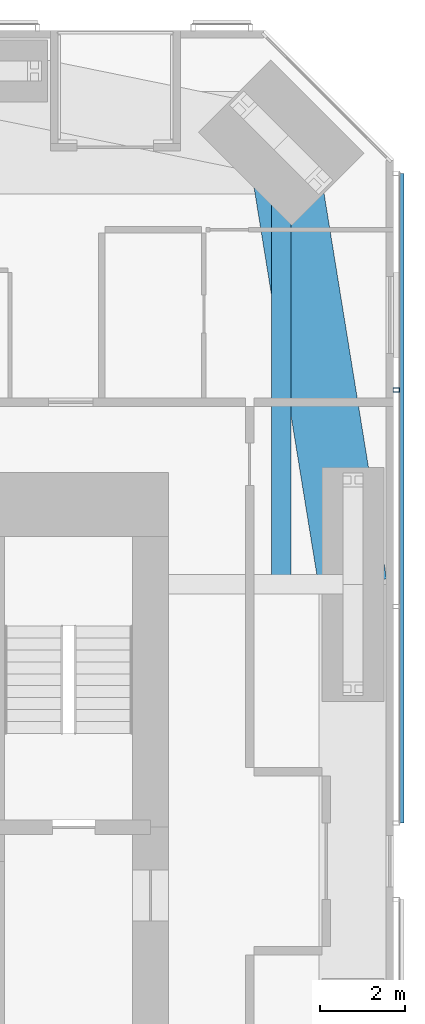
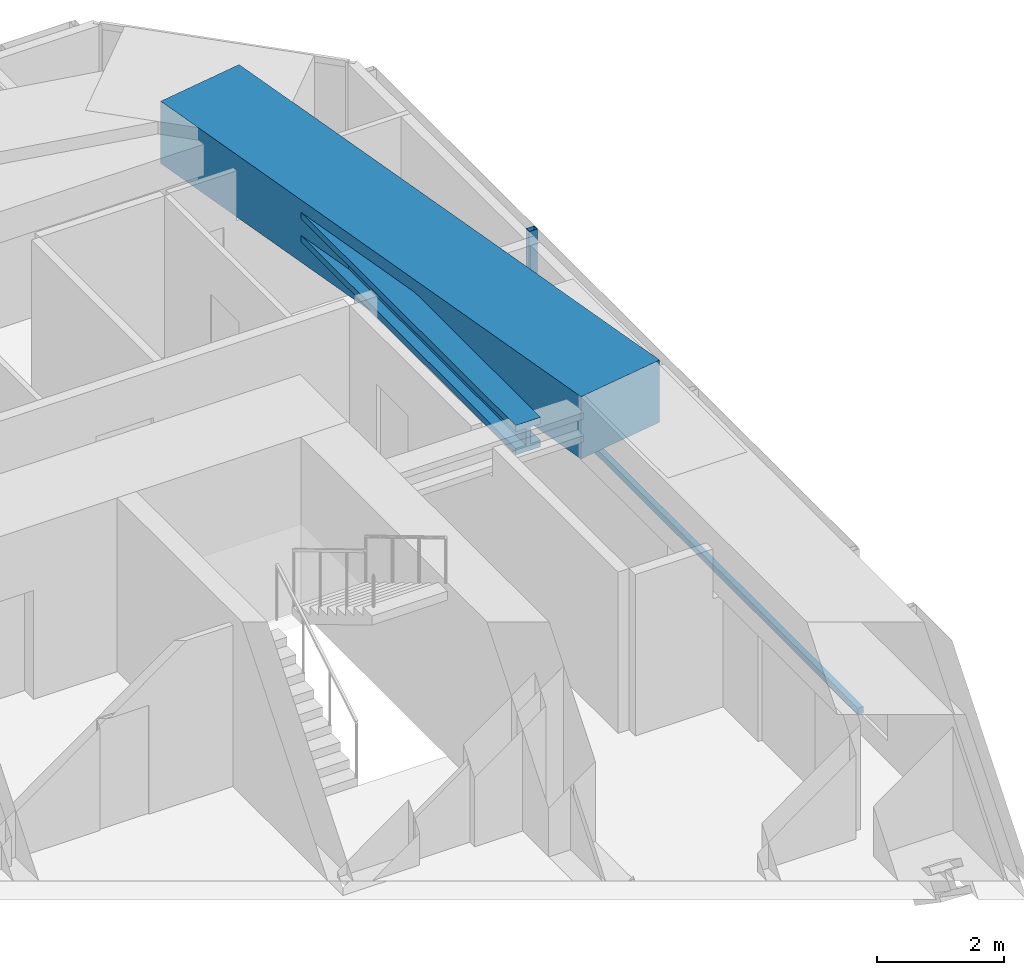
# One storey, part 11 of 25: 2 beams, 2 members, 1 element without a shape of its own.
"""IFC4 building model written with IfcOpenShell, lengths in metres."""

import ifcopenshell
import ifcopenshell.guid

model = None  # the IFC model being written
_history = None  # IfcOwnerHistory: only IFC2X3 demands one
_inside = {}  # id of a spatial element -> (the spatial element, [elements in it])
_under = {}  # id of a project, library or spatial element -> (it, [spatial elements below it])
_declared = {}  # id of a project -> (the project, [libraries it declares])
_typed = {}  # id of a type object -> (the type object, [elements of that type])
_made_of = {}  # id of a material, layer set ... -> (it, [elements and type objects made of it])


def new_model(schema):
    """Start an empty IFC model of exactly this schema.

    Asked for "IFC4X3", IfcOpenShell would pick the latest addendum, in which some entities
    have other attributes; the version numbers below select the first issue.
    IFC2X3 requires an IfcOwnerHistory on every rooted entity: one is made here for all.
    """
    global model, _history
    if schema == "IFC4X3":
        model = ifcopenshell.file(schema_version=(4, 3, 0, 0))
    else:
        model = ifcopenshell.file(schema=schema)
    _inside.clear()
    _under.clear()
    _declared.clear()
    _typed.clear()
    _made_of.clear()
    _history = None
    if model.schema == "IFC2X3":
        org = make("IfcOrganization", Name="unknown")
        user = make(
            "IfcPersonAndOrganization",
            ThePerson=make("IfcPerson", FamilyName="unknown"),
            TheOrganization=org,
        )
        app = make(
            "IfcApplication",
            ApplicationDeveloper=org,
            Version="unknown",
            ApplicationFullName="unknown",
            ApplicationIdentifier="unknown",
        )
        _history = make(
            "IfcOwnerHistory",
            OwningUser=user,
            OwningApplication=app,
            ChangeAction="ADDED",
            CreationDate=0,
        )
    return model


def make(cls, **values):
    """One entity of the class cls with the attributes given. An attribute that is None is left unset."""
    return model.create_entity(
        cls, **{name: value for name, value in values.items() if value is not None}
    )


def rooted(cls, **values):
    """An entity with a GlobalId (a new one), such as an element, a storey or a relation."""
    return make(cls, GlobalId=ifcopenshell.guid.new(), OwnerHistory=_history, **values)


def si_unit(unit_type, name, prefix=None):
    """IfcSIUnit, for example si_unit("LENGTHUNIT", "METRE", prefix="MILLI")."""
    return make("IfcSIUnit", UnitType=unit_type, Prefix=prefix, Name=name)


def assignment(units):
    """IfcUnitAssignment: the units of a project."""
    return None if units is None else make("IfcUnitAssignment", Units=units)


def point(xyz):
    """IfcCartesianPoint."""
    return None if xyz is None else make("IfcCartesianPoint", Coordinates=xyz)


def direction(xyz):
    """IfcDirection."""
    return None if xyz is None else make("IfcDirection", DirectionRatios=xyz)


def frame(location, z_axis=None, x_axis=None):
    """IfcAxis2Placement3D, a coordinate frame: its origin and axes. An axis left out is left unset."""
    return make(
        "IfcAxis2Placement3D",
        Location=point(location),
        Axis=direction(z_axis),
        RefDirection=direction(x_axis),
    )


def frame_2d(location, x_axis=None):
    """IfcAxis2Placement2D, a coordinate frame in the plane: its origin and x axis."""
    return make(
        "IfcAxis2Placement2D", Location=point(location), RefDirection=direction(x_axis)
    )


def origin():
    """The frame at (0, 0, 0) with its axes left unset."""
    return frame((0.0, 0.0, 0.0))


def origin_2d():
    """The frame at (0, 0) in the plane with its x axis left unset."""
    return frame_2d((0.0, 0.0))


def place(relative_to, where):
    """IfcLocalPlacement: puts the frame where relative to a parent placement (None: the world)."""
    return make(
        "IfcLocalPlacement", PlacementRelTo=relative_to, RelativePlacement=where
    )


def context(
    kind, dimensions, precision=None, world=None, true_north=None, identifier=None
):
    """IfcGeometricRepresentationContext, for example the 3D "Model" context."""
    return make(
        "IfcGeometricRepresentationContext",
        ContextIdentifier=identifier,
        ContextType=kind,
        CoordinateSpaceDimension=dimensions,
        Precision=precision,
        WorldCoordinateSystem=world,
        TrueNorth=true_north,
    )


def subcontext(parent, identifier, kind, view, scale=None):
    """IfcGeometricRepresentationSubContext, for example "Body" below "Model"."""
    return make(
        "IfcGeometricRepresentationSubContext",
        ContextIdentifier=identifier,
        ContextType=kind,
        ParentContext=parent,
        TargetScale=scale,
        TargetView=view,
    )


def project(units=None, contexts=None):
    """IfcProject with its units and contexts."""
    return rooted(
        "IfcProject",
        Name="project",
        RepresentationContexts=contexts,
        UnitsInContext=assignment(units),
    )


def spatial(cls, under=None, at=None, **own):
    """A site, building, storey or space (cls), placed at a placement, below another one or the project."""
    s = rooted(cls, ObjectPlacement=at, **own)
    if under is not None:
        _under.setdefault(under.id(), (under, []))[1].append(s)
    return s


def profile(cls, at=None, kind="AREA", **sizes):
    """A parametric profile (cls). Its sizes go by their IFC names, for example OverallWidth=200.0."""
    return make(cls, ProfileType=kind, Position=at, **sizes)


def rectangle(**sizes):
    """IfcRectangleProfileDef."""
    return profile("IfcRectangleProfileDef", **sizes)


def hollow_rectangle(**sizes):
    """IfcRectangleHollowProfileDef."""
    return profile("IfcRectangleHollowProfileDef", **sizes)


def i_section(**sizes):
    """IfcIShapeProfileDef."""
    return profile("IfcIShapeProfileDef", **sizes)


def extrude(swept, where, along, depth):
    """IfcExtrudedAreaSolid: the profile swept, set in the frame where, extruded along a direction by depth."""
    return make(
        "IfcExtrudedAreaSolid",
        SweptArea=swept,
        Position=where,
        ExtrudedDirection=direction(along),
        Depth=depth,
    )


def shape(context_of_items, identifier, shape_type, items):
    """IfcShapeRepresentation: the items that make up one representation, for example the "Body"."""
    return make(
        "IfcShapeRepresentation",
        ContextOfItems=context_of_items,
        RepresentationIdentifier=identifier,
        RepresentationType=shape_type,
        Items=items,
    )


def material(Name=None, Category=None):
    """IfcMaterial."""
    return make("IfcMaterial", Name=Name, Category=Category)


def material_profile(
    of_material, cross_section, Name=None, Category=None, Priority=None
):
    """IfcMaterialProfile: a cross section and its material."""
    return make(
        "IfcMaterialProfile",
        Name=Name,
        Material=of_material,
        Profile=cross_section,
        Priority=Priority,
        Category=Category,
    )


def profile_set(profiles, Name=None, composite=None):
    """IfcMaterialProfileSet."""
    return make(
        "IfcMaterialProfileSet",
        Name=Name,
        MaterialProfiles=profiles,
        CompositeProfile=composite,
    )


def made_of(thing, what):
    """Note that an element or type object is made of a material, layer set ...; save() writes the relation."""
    if what is not None:
        _made_of.setdefault(what.id(), (what, []))[1].append(thing)
    return thing


def type_object(cls, material=None, **own):
    """A type object (cls), such as IfcWallType, which elements share."""
    return made_of(rooted(cls, **own), material)


def element(
    cls,
    number,
    at=None,
    inside=None,
    cuts=None,
    type_object=None,
    material=None,
    context=None,
    identifier="Body",
    shape_type=None,
    held_by="IfcProductDefinitionShape",
    body=None,
    shapes=None,
    **own,
):
    """One element of the class cls, such as IfcWall. Its Tag is "e" and its number.

    at: its placement. inside: the storey or other place that contains it. cuts: it is an
    opening in that element (IfcRelVoidsElement). A single representation is given by context,
    identifier, shape_type and body (its items); several are given by shapes. held_by: the class
    of the entity that holds the representations. save() writes the other relations.
    """
    e = rooted(cls, Tag="e%d" % number, ObjectPlacement=at, **own)
    if body is not None:
        shapes = [shape(context, identifier, shape_type, body)]
    if shapes is not None:
        e.Representation = make(held_by, Representations=shapes)
    if inside is not None:
        _inside.setdefault(inside.id(), (inside, []))[1].append(e)
    if cuts is not None:
        rooted(
            "IfcRelVoidsElement", RelatingBuildingElement=cuts, RelatedOpeningElement=e
        )
    if type_object is not None:
        _typed.setdefault(type_object.id(), (type_object, []))[1].append(e)
    return made_of(e, material)


def aggregate(whole, parts):
    """IfcRelAggregates: a whole, such as a stair, and the parts it consists of."""
    return rooted("IfcRelAggregates", RelatingObject=whole, RelatedObjects=parts)


def save(model, path):
    """Write the relations noted so far, then the file.

    IfcRelAggregates (storeys below a building ...), IfcRelContainedInSpatialStructure (elements
    in a storey), IfcRelDefinesByType, IfcRelAssociatesMaterial and IfcRelDeclares: one each for
    every whole, place, type object, material and project.
    """
    for whole, parts in _under.values():
        aggregate(whole, parts)
    for where, things in _inside.values():
        rooted(
            "IfcRelContainedInSpatialStructure",
            RelatedElements=things,
            RelatingStructure=where,
        )
    for kind, things in _typed.values():
        rooted("IfcRelDefinesByType", RelatedObjects=things, RelatingType=kind)
    for what, things in _made_of.values():
        rooted("IfcRelAssociatesMaterial", RelatedObjects=things, RelatingMaterial=what)
    for by, libraries in _declared.values():
        rooted("IfcRelDeclares", RelatingContext=by, RelatedDefinitions=libraries)
    model.write(path)


model = new_model("IFC4")

# Units and contexts
model_context = context("Model", 3, precision=1e-05, world=origin(), true_north=direction((0.0, 1.0)))
body_context = subcontext(model_context, "Body", "Model", "MODEL_VIEW")
ifc_project = project(units=[si_unit("LENGTHUNIT", "METRE"), si_unit("AREAUNIT", "SQUARE_METRE"), si_unit("VOLUMEUNIT", "CUBIC_METRE"), si_unit("PLANEANGLEUNIT", "RADIAN"), si_unit("MASSUNIT", "GRAM", prefix="KILO")], contexts=[model_context])

# Site, building, storey
site_placement = place(None, origin())
site = spatial("IfcSite", under=ifc_project, at=site_placement, CompositionType="ELEMENT")
building_placement = place(site_placement, origin())
building = spatial("IfcBuilding", under=site, at=building_placement, Name="Jalousie Tower", CompositionType="ELEMENT")
storey_placement = place(building_placement, frame((0.0, 0.0, 101.5)))
storey = spatial("IfcBuildingStorey", under=building, at=storey_placement, Name="L27", CompositionType="ELEMENT", Elevation=101.5)

# Beams
ifc_material_1 = material(Name="Steel ASTM A992 Grade 50", Category="steel")
ifc_material_profile_1 = material_profile(ifc_material_1, i_section(OverallWidth=0.45458984375, OverallDepth=0.569091796875, WebThickness=0.077880859375, FlangeThickness=0.124755859375, at=origin_2d()), Name="W14X730")
ifc_profile_set_1 = profile_set([ifc_material_profile_1], Name="Steel ASTM A992 Grade 50")
beam_type_1 = type_object("IfcBeamType", Name="LEAN COLLECTOR W14X730", PredefinedType="BEAM", material=ifc_profile_set_1)
beam_1_placement = place(storey_placement, frame((46.86865234375, 35.36865234375, 2.825439453125), z_axis=(0.0, -1.0, 0.0), x_axis=(1.0, 0.0, 0.0)))
element("IfcBeam", 1, at=beam_1_placement, inside=storey, type_object=beam_type_1, Name="Lean collector under L28", PredefinedType="BEAM", context=body_context, shape_type="SweptSolid", body=[
    extrude(i_section(OverallWidth=0.45458984375, OverallDepth=0.569091796875, WebThickness=0.077880859375, FlangeThickness=0.124755859375, at=origin_2d()), origin(), (0.0, 0.0, 1.0), 10.36865234375),
])
ifc_material_2 = material(Name="Concrete f'c 40 MPa", Category="concrete")
ifc_material_profile_2 = material_profile(ifc_material_2, rectangle(XDim=1.60009765625, YDim=1.199951171875, at=origin_2d()), Name="RC 1600x1200")
ifc_profile_set_2 = profile_set([ifc_material_profile_2], Name="Concrete f'c 40 MPa")
beam_type_2 = type_object("IfcBeamType", Name="RC BEAM 1600x1200", PredefinedType="BEAM", material=ifc_profile_set_2)
beam_2_placement = place(storey_placement, frame((48.550048828125, 25.0, 2.75), z_axis=(-0.160070546476, 0.987105577003, 0.0), x_axis=(-0.987105577003, -0.160070546476, 0.0)))
element("IfcBeam", 2, at=beam_2_placement, inside=storey, type_object=beam_type_2, Name="Edge band beam 07-08 under L28", PredefinedType="BEAM", context=body_context, shape_type="SweptSolid", body=[
    extrude(rectangle(XDim=1.60009765625, YDim=1.199951171875, at=origin_2d()), origin(), (0.0, 0.0, 1.0), 10.504150390625),
])

# Curtain wall, members
ifc_material_3 = material(Name="Perforated aluminium sheet", Category="aluminium")
curtain_wall_type = type_object("IfcCurtainWallType", Name="SOLAR SCREEN SS-1", PredefinedType="USERDEFINED", material=ifc_material_3)
curtain_wall_placement = place(storey_placement, origin())
curtain_wall = element("IfcCurtainWall", 3, at=curtain_wall_placement, inside=storey, type_object=curtain_wall_type, Name="Solar screen L27", ObjectType="SOLAR SCREEN SS-1", PredefinedType="USERDEFINED")
ifc_material_4 = material(Name="Steel ASTM A500 Grade C", Category="steel")
ifc_material_profile_3 = material_profile(ifc_material_4, hollow_rectangle(XDim=0.1015625, YDim=0.15234375, WallThickness=0.00634765625, at=origin_2d()), Name="HSS6X4X1/4")
ifc_profile_set_3 = profile_set([ifc_material_profile_3], Name="Steel ASTM A500 Grade C")
member_type_1 = type_object("IfcMemberType", Name="SOLAR SCREEN SS-1 MULLION", PredefinedType="MULLION", material=ifc_profile_set_3)
member_1_placement = place(storey_placement, frame((49.5712890625, 29.56591796875, -0.1201171875), z_axis=(0.0, 0.0, 1.0), x_axis=(0.0, 1.0, 0.0)))
member_1 = element("IfcMember", 4, at=member_1_placement, type_object=member_type_1, Name="SS1 post 3", PredefinedType="MULLION", context=body_context, shape_type="SweptSolid", body=[
    extrude(hollow_rectangle(XDim=0.1015625, YDim=0.15234375, WallThickness=0.00634765625, at=origin_2d()), origin(), (0.0, 0.0, 1.0), 3.230224609375),
])
ifc_material_5 = material(Name="Extruded aluminium screen rail", Category="aluminium")
ifc_material_profile_4 = material_profile(ifc_material_5, rectangle(XDim=0.1015625, YDim=0.1201171875, at=origin_2d()), Name="RAIL 102x120")
ifc_profile_set_4 = profile_set([ifc_material_profile_4], Name="Extruded aluminium screen rail")
member_type_2 = type_object("IfcMemberType", Name="SOLAR SCREEN SS-1 TRANSOM", PredefinedType="USERDEFINED", material=ifc_profile_set_4)
member_2_placement = place(storey_placement, frame((49.6982421875, 19.39990234375, -0.06005859375), z_axis=(0.0, 1.0, 0.0), x_axis=(-1.0, 0.0, 0.0)))
member_2 = element("IfcMember", 5, at=member_2_placement, type_object=member_type_2, Name="SS1 rail", ObjectType="TRANSOM", PredefinedType="USERDEFINED", context=body_context, shape_type="SweptSolid", body=[
    extrude(rectangle(XDim=0.1015625, YDim=0.1201171875, at=origin_2d()), origin(), (0.0, 0.0, 1.0), 15.248779296875),
])
aggregate(curtain_wall, [member_1, member_2])

save(model, "model.ifc")
